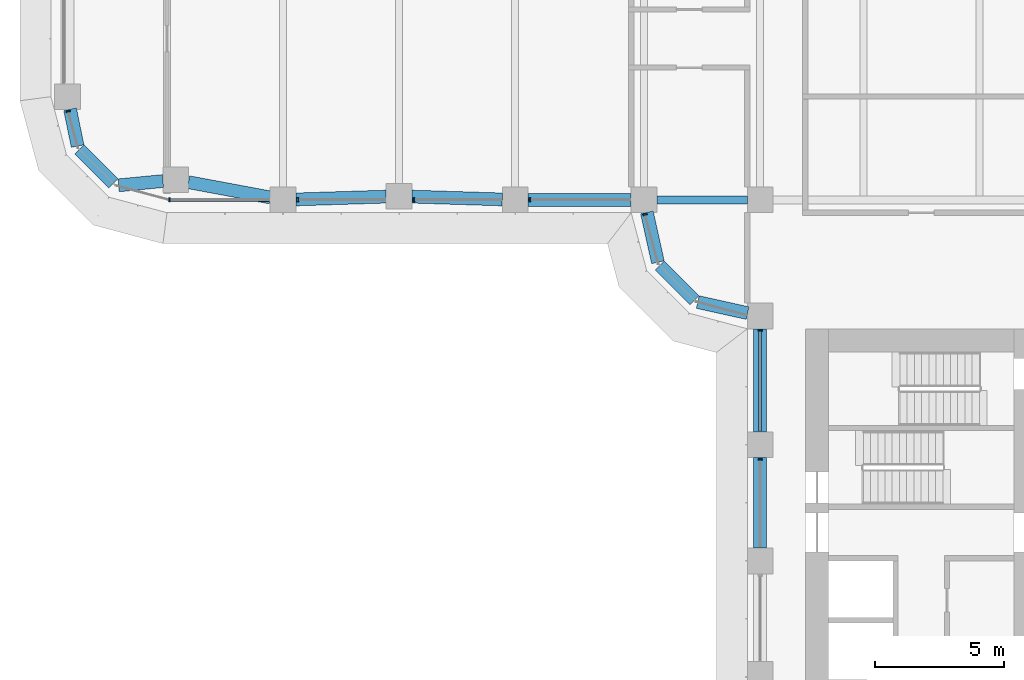
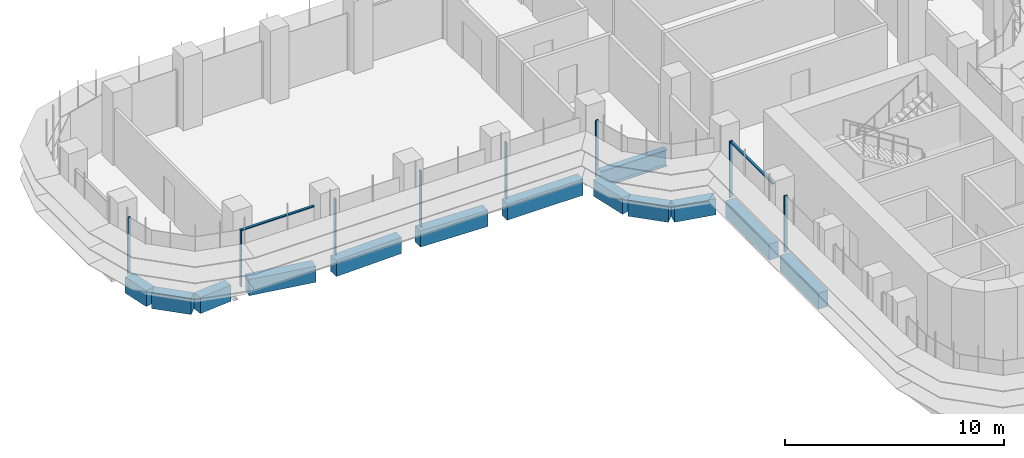
# One storey, part 3 of 23: 13 beams, 10 members, 4 elements without a shape of their own.
"""IFC4 building model written with IfcOpenShell, lengths in metres."""

from ifc_helpers import new_model, si_unit, direction, frame, origin, origin_2d, place, context, subcontext, project, spatial, polyline, rectangle, i_section, outline, extrude, source, transform, mapped, material, material_profile, profile_set, type_object, element, aggregate, save


model = new_model("IFC4")

# Units and contexts
model_context = context("Model", 3, precision=1e-05, world=origin(), true_north=direction((0.0, 1.0)))
body_context = subcontext(model_context, "Body", "Model", "MODEL_VIEW")
ifc_project = project(units=[si_unit("LENGTHUNIT", "METRE"), si_unit("AREAUNIT", "SQUARE_METRE"), si_unit("VOLUMEUNIT", "CUBIC_METRE"), si_unit("PLANEANGLEUNIT", "RADIAN"), si_unit("MASSUNIT", "GRAM", prefix="KILO")], contexts=[model_context])

# Site, building, storey
site_placement = place(None, origin())
site = spatial("IfcSite", under=ifc_project, at=site_placement, CompositionType="ELEMENT")
building_placement = place(site_placement, origin())
building = spatial("IfcBuilding", under=site, at=building_placement, Name="Zarbagh Exchange Tower", CompositionType="ELEMENT")
storey_placement = place(building_placement, frame((0.0, 0.0, 77.39990234375)))
storey = spatial("IfcBuildingStorey", under=building, at=storey_placement, Name="L17", CompositionType="ELEMENT", Elevation=77.39990234375)

# Beams
ifc_material_1 = material(Name="Steel ASTM A992 Gr 50", Category="steel")
ifc_material_profile_1 = material_profile(ifc_material_1, i_section(OverallWidth=0.3046875, OverallDepth=0.91943359375, WebThickness=0.017333984375, FlangeThickness=0.02783203125, at=origin_2d()), Name="W36X170")
ifc_profile_set_1 = profile_set([ifc_material_profile_1], Name="Steel ASTM A992 Gr 50")
beam_type_1 = type_object("IfcBeamType", Name="Floor girder W36X170", PredefinedType="BEAM", material=ifc_profile_set_1)
beam_1_placement = place(storey_placement, frame((-10.25, -6.25, -0.609619140625), z_axis=(1.0, 0.0, 0.0), x_axis=(0.0, 1.0, 0.0)))
element("IfcBeam", 1, at=beam_1_placement, inside=storey, type_object=beam_type_1, Name="Steel girder", PredefinedType="BEAM", context=body_context, shape_type="SweptSolid", body=[
    extrude(i_section(OverallWidth=0.3046875, OverallDepth=0.91943359375, WebThickness=0.017333984375, FlangeThickness=0.02783203125, at=origin_2d()), origin(), (0.0, 0.0, 1.0), 3.5),
])
ifc_material_2 = material(Name="Concrete C60/75", Category="concrete")
ifc_material_profile_2 = material_profile(ifc_material_2, rectangle(XDim=0.5, YDim=0.89990234375, at=origin_2d()), Name="RC spandrel beam 500 x 900 C60/75")
ifc_profile_set_2 = profile_set([ifc_material_profile_2], Name="Concrete C60/75")
beam_type_2 = type_object("IfcBeamType", Name="RC spandrel beam 500 x 900 C60/75", PredefinedType="SPANDREL", material=ifc_profile_set_2)
beam_2_placement = place(storey_placement, frame((-6.25, -19.75, -0.599853515625), z_axis=(0.0, 1.0, 0.0), x_axis=(-1.0, 0.0, 0.0)))
element("IfcBeam", 2, at=beam_2_placement, inside=storey, type_object=beam_type_2, Name="RC spandrel beam", PredefinedType="SPANDREL", context=body_context, shape_type="SweptSolid", body=[
    extrude(rectangle(XDim=0.5, YDim=0.89990234375, at=origin_2d()), origin(), (0.0, 0.0, 1.0), 3.5),
])
beam_3_placement = place(storey_placement, frame((-6.25, -15.25, -0.599853515625), z_axis=(0.0, 1.0, 0.0), x_axis=(-1.0, 0.0, 0.0)))
element("IfcBeam", 3, at=beam_3_placement, inside=storey, type_object=beam_type_2, Name="RC spandrel beam", PredefinedType="SPANDREL", context=body_context, shape_type="SweptSolid", body=[
    extrude(rectangle(XDim=0.5, YDim=0.89990234375, at=origin_2d()), origin(), (0.0, 0.0, 1.0), 4.0),
])
beam_4_placement = place(storey_placement, frame((-6.73828125, -10.64208984375, -0.599853515625), z_axis=(-0.976375426825, 0.216081063242, 0.0), x_axis=(-0.216081063242, -0.976375426825, 0.0)))
element("IfcBeam", 4, at=beam_4_placement, inside=storey, type_object=beam_type_2, Name="RC spandrel beam", PredefinedType="SPANDREL", context=body_context, shape_type="SweptSolid", body=[
    extrude(rectangle(XDim=0.5, YDim=0.89990234375, at=origin_2d()), origin(), (0.0, 0.0, 1.0), 1.978271484375),
])
beam_5_placement = place(storey_placement, frame((-8.792724609375, -10.147216796875, -0.599853515625), z_axis=(-0.707106781187, 0.707106781187, 0.0), x_axis=(-0.707106781187, -0.707106781187, 0.0)))
element("IfcBeam", 5, at=beam_5_placement, inside=storey, type_object=beam_type_2, Name="RC spandrel beam", PredefinedType="SPANDREL", context=body_context, shape_type="SweptSolid", body=[
    extrude(rectangle(XDim=0.5, YDim=0.89990234375, at=origin_2d()), origin(), (0.0, 0.0, 1.0), 1.91552734375),
])
beam_6_placement = place(storey_placement, frame((-10.214599609375, -8.669921875, -0.599853515625), z_axis=(-0.216081063242, 0.976375426825, 0.0), x_axis=(-0.976375426825, -0.216081063242, 0.0)))
element("IfcBeam", 6, at=beam_6_placement, inside=storey, type_object=beam_type_2, Name="RC spandrel beam", PredefinedType="SPANDREL", context=body_context, shape_type="SweptSolid", body=[
    extrude(rectangle(XDim=0.5, YDim=0.89990234375, at=origin_2d()), origin(), (0.0, 0.0, 1.0), 1.978271484375),
])
beam_7_placement = place(storey_placement, frame((-11.25, -6.25, -0.599853515625), z_axis=(-1.0, 0.0, 0.0), x_axis=(0.0, -1.0, 0.0)))
element("IfcBeam", 7, at=beam_7_placement, inside=storey, type_object=beam_type_2, Name="RC spandrel beam", PredefinedType="SPANDREL", context=body_context, shape_type="SweptSolid", body=[
    extrude(rectangle(XDim=0.5, YDim=0.89990234375, at=origin_2d()), origin(), (0.0, 0.0, 1.0), 4.0),
])
for number, where, z_axis, x_axis, name in (
    (8, (-16.249755859375, -6.234619140625, -0.599853515625), (-0.999514385708, 0.031160756759, 0.0), (-0.031160756759, -0.999514385708, 0.0), "RC spandrel beam"),
    (9, (-20.749755859375, -6.12548828125, -0.599853515625), (-0.999514385708, -0.031160756759, 0.0), (0.031160756759, -0.999514385708, 0.0), "RC spandrel beam"),
):
    element("IfcBeam", number, at=place(storey_placement, frame(where, z_axis=z_axis, x_axis=x_axis)), inside=storey, type_object=beam_type_2, Name=name, PredefinedType="SPANDREL", context=body_context, shape_type="SweptSolid", body=[
        extrude(rectangle(XDim=0.5, YDim=0.89990234375, at=origin_2d()), origin(), (0.0, 0.0, 1.0), 3.502197265625),
    ])
beam_8_placement = place(storey_placement, frame((-25.241455078125, -6.158447265625, -0.599853515625), z_axis=(-0.983069300761, 0.183234139565, 0.0), x_axis=(-0.183234139565, -0.983069300761, 0.0)))
element("IfcBeam", 10, at=beam_8_placement, inside=storey, type_object=beam_type_2, Name="RC spandrel beam", PredefinedType="SPANDREL", context=body_context, shape_type="SweptSolid", body=[
    extrude(rectangle(XDim=0.5, YDim=0.89990234375, at=origin_2d()), origin(), (0.0, 0.0, 1.0), 3.229736328125),
])
beam_9_placement = place(storey_placement, frame((-29.40576171875, -5.522705078125, -0.599853515625), z_axis=(-0.995431032456, -0.095483294999, 0.0), x_axis=(0.095483294999, -0.995431032456, 0.0)))
element("IfcBeam", 11, at=beam_9_placement, inside=storey, type_object=beam_type_2, Name="RC spandrel beam", PredefinedType="SPANDREL", context=body_context, shape_type="SweptSolid", body=[
    extrude(rectangle(XDim=0.5, YDim=0.89990234375, at=origin_2d()), origin(), (0.0, 0.0, 1.0), 1.725830078125),
])
beam_10_placement = place(storey_placement, frame((-31.324462890625, -5.615478515625, -0.599853515625), z_axis=(-0.707172099812, 0.707041456527, 0.0), x_axis=(-0.707041456527, -0.707172099812, 0.0)))
element("IfcBeam", 12, at=beam_10_placement, inside=storey, type_object=beam_type_2, Name="RC spandrel beam", PredefinedType="SPANDREL", context=body_context, shape_type="SweptSolid", body=[
    extrude(rectangle(XDim=0.5, YDim=0.89990234375, at=origin_2d()), origin(), (0.0, 0.0, 1.0), 1.86865234375),
])
beam_11_placement = place(storey_placement, frame((-32.714111328125, -4.16796875, -0.599853515625), z_axis=(-0.202068589164, 0.9793713725, 0.0), x_axis=(-0.9793713725, -0.202068589164, 0.0)))
element("IfcBeam", 13, at=beam_11_placement, inside=storey, type_object=beam_type_2, Name="RC spandrel beam", PredefinedType="SPANDREL", context=body_context, shape_type="SweptSolid", body=[
    extrude(rectangle(XDim=0.5, YDim=0.89990234375, at=origin_2d()), origin(), (0.0, 0.0, 1.0), 1.458251953125),
])

# Curtain wall, member
ifc_material_3 = material(Name="Anodised aluminium frame and glazing", Category="aluminium")
curtain_wall_type = type_object("IfcCurtainWallType", Name="CWA Ribbon glazing, lower zones", PredefinedType="NOTDEFINED", material=ifc_material_3)
curtain_wall_1_placement = place(storey_placement, origin())
curtain_wall_1 = element("IfcCurtainWall", 14, at=curtain_wall_1_placement, inside=storey, type_object=curtain_wall_type, Name="CWA37 curtain wall", PredefinedType="NOTDEFINED")
ifc_material_4 = material(Name="Anodised aluminium frame", Category="aluminium")
member_type_1 = type_object("IfcMemberType", Name="MUA Mullion, anodised aluminium frame", PredefinedType="MULLION", material=ifc_material_4)
shared_shape_1 = source(origin(), body_context, "Body", "SweptSolid", [
    extrude(outline(polyline([(0.0, -0.080078125), (0.06005859375, -0.080078125), (0.06005859375, 0.080078125), (0.0, 0.080078125), (0.0, -0.080078125)])), origin(), (0.0, 0.0, 1.0), 3.14990234375),
])
placement = place(storey_placement, origin())
member_1 = element("IfcMember", 15, at=placement, type_object=member_type_1, Name="CWA37 mullion 1.1", PredefinedType="MULLION", context=body_context, shape_type="MappedRepresentation", body=[
    mapped(shared_shape_1, transform((-33.087646484375, -2.7900390625, 0.0), x_axis=(0.258824779902, -0.965924289636, 0.0), y_axis=(0.965924289636, 0.258824779902, 0.0), z_axis=(0.0, 0.0, 1.0))),
])
aggregate(curtain_wall_1, [member_1])

# Curtain wall, members
curtain_wall_2_placement = place(storey_placement, origin())
curtain_wall_2 = element("IfcCurtainWall", 16, at=curtain_wall_2_placement, inside=storey, type_object=curtain_wall_type, Name="CWA40 curtain wall", PredefinedType="NOTDEFINED")
member_2 = element("IfcMember", 17, at=placement, type_object=member_type_1, Name="CWA40 mullion 1.1", PredefinedType="MULLION", context=body_context, shape_type="MappedRepresentation", body=[
    mapped(shared_shape_1, transform((-29.18408203125, -6.25, 0.0), x_axis=(1.0, 0.0, 0.0), y_axis=(0.0, 1.0, 0.0), z_axis=(0.0, 0.0, 1.0))),
])
member_3 = element("IfcMember", 18, at=placement, type_object=member_type_1, Name="CWA40 mullion 2.1", PredefinedType="MULLION", context=body_context, shape_type="MappedRepresentation", body=[
    mapped(shared_shape_1, transform((-24.2099609375, -6.25, 0.0), x_axis=(1.0, 0.0, 0.0), y_axis=(0.0, 1.0, 0.0), z_axis=(0.0, 0.0, 1.0))),
])
member_4 = element("IfcMember", 19, at=placement, type_object=member_type_1, Name="CWA40 mullion 3.1", PredefinedType="MULLION", context=body_context, shape_type="MappedRepresentation", body=[
    mapped(shared_shape_1, transform((-19.7099609375, -6.25, 0.0), x_axis=(1.0, 0.0, 0.0), y_axis=(0.0, 1.0, 0.0), z_axis=(0.0, 0.0, 1.0))),
])
member_5 = element("IfcMember", 20, at=placement, type_object=member_type_1, Name="CWA40 mullion 4.1", PredefinedType="MULLION", context=body_context, shape_type="MappedRepresentation", body=[
    mapped(shared_shape_1, transform((-15.2099609375, -6.25, 0.0), x_axis=(1.0, 0.0, 0.0), y_axis=(0.0, 1.0, 0.0), z_axis=(0.0, 0.0, 1.0))),
])

# Curtain wall, member
curtain_wall_3_placement = place(storey_placement, origin())
curtain_wall_3 = element("IfcCurtainWall", 21, at=curtain_wall_3_placement, inside=storey, type_object=curtain_wall_type, Name="CWA41 curtain wall", PredefinedType="NOTDEFINED")
member_6 = element("IfcMember", 22, at=placement, type_object=member_type_1, Name="CWA41 mullion 1.1", PredefinedType="MULLION", context=body_context, shape_type="MappedRepresentation", body=[
    mapped(shared_shape_1, transform((-10.7216796875, -6.7900390625, 0.0), x_axis=(0.258824779902, -0.965924289636, 0.0), y_axis=(0.965924289636, 0.258824779902, 0.0), z_axis=(0.0, 0.0, 1.0))),
])
aggregate(curtain_wall_3, [member_6])

# Curtain wall, members
curtain_wall_4_placement = place(storey_placement, origin())
curtain_wall_4 = element("IfcCurtainWall", 23, at=curtain_wall_4_placement, inside=storey, type_object=curtain_wall_type, Name="CWA44 curtain wall", PredefinedType="NOTDEFINED")
member_7 = element("IfcMember", 24, at=placement, type_object=member_type_1, Name="CWA44 mullion 1.1", PredefinedType="MULLION", context=body_context, shape_type="MappedRepresentation", body=[
    mapped(shared_shape_1, transform((-6.25, -11.2900390625, 0.0), x_axis=(0.0, -1.0, 0.0), y_axis=(1.0, 0.0, 0.0), z_axis=(0.0, 0.0, 1.0))),
])
member_8 = element("IfcMember", 25, at=placement, type_object=member_type_1, Name="CWA44 mullion 2.1", PredefinedType="MULLION", context=body_context, shape_type="MappedRepresentation", body=[
    mapped(shared_shape_1, transform((-6.25, -16.2900390625, 0.0), x_axis=(0.0, -1.0, 0.0), y_axis=(1.0, 0.0, 0.0), z_axis=(0.0, 0.0, 1.0))),
])
member_type_2 = type_object("IfcMemberType", Name="TRA Transom, anodised aluminium frame", PredefinedType="USERDEFINED", material=ifc_material_4)
shared_shape_2 = source(origin(), body_context, "Body", "SweptSolid", [
    extrude(outline(polyline([(-0.06005859375, -0.06005859375), (0.0, -0.06005859375), (0.0, 0.06005859375), (-0.06005859375, 0.06005859375), (-0.06005859375, -0.06005859375)])), origin(), (0.0, 0.0, 1.0), 3.860107421875),
])
member_9 = element("IfcMember", 26, at=placement, type_object=member_type_2, Name="CWA44 transom 1.1", ObjectType="TRANSOM", PredefinedType="USERDEFINED", context=body_context, shape_type="MappedRepresentation", body=[
    mapped(shared_shape_2, transform((-6.25, -11.35009765625, 3.150146484375), x_axis=(0.0, 0.0, 1.0), y_axis=(-1.0, 0.0, 0.0), z_axis=(0.0, -1.0, 0.0))),
])
aggregate(curtain_wall_4, [member_7, member_9, member_8])

# Member
shared_shape_3 = source(origin(), body_context, "Body", "SweptSolid", [
    extrude(outline(polyline([(-0.06005859375, -0.06005859375), (0.0, -0.06005859375), (0.0, 0.06005859375), (-0.06005859375, 0.06005859375), (-0.06005859375, -0.06005859375)])), origin(), (0.0, 0.0, 1.0), 3.834228515625),
])
member_10 = element("IfcMember", 27, at=placement, type_object=member_type_2, Name="CWA40 transom 1.1", ObjectType="TRANSOM", PredefinedType="USERDEFINED", context=body_context, shape_type="MappedRepresentation", body=[
    mapped(shared_shape_3, transform((-29.124267578125, -6.25, 3.150146484375), x_axis=(0.0, 0.0, 1.0), y_axis=(0.0, -1.0, 0.0), z_axis=(1.0, 0.0, 0.0))),
])

aggregate(curtain_wall_2, [member_2, member_10, member_3, member_4, member_5])

save(model, "model.ifc")
